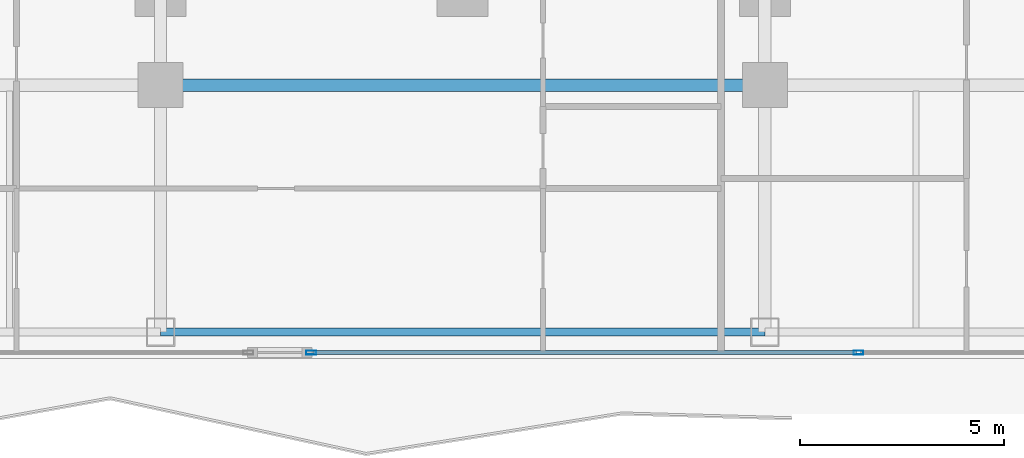
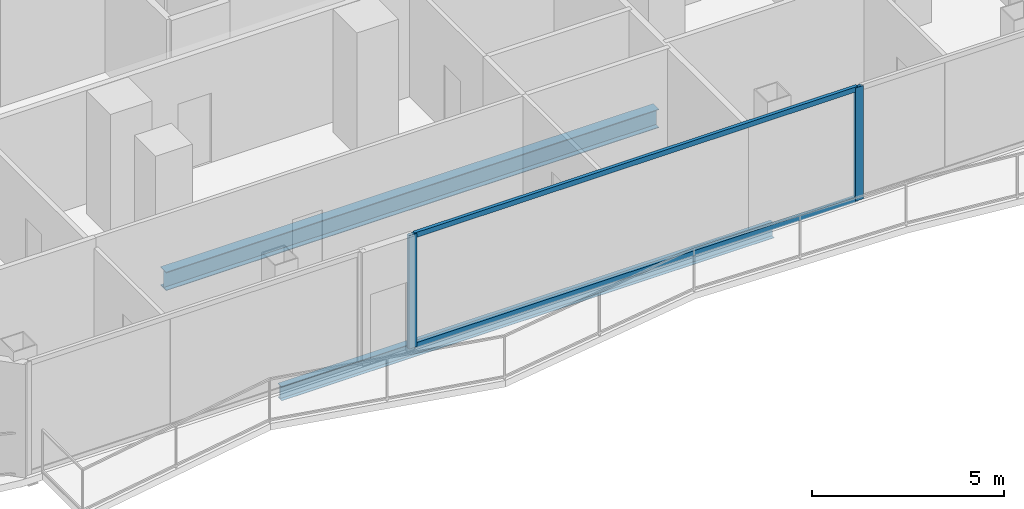
# One storey, part 4 of 27: 4 members, 2 beams, 1 element without a shape of its own.
"""IFC4 building model written with IfcOpenShell, lengths in metres."""

import ifcopenshell
import ifcopenshell.guid

model = None  # the IFC model being written
_history = None  # IfcOwnerHistory: only IFC2X3 demands one
_inside = {}  # id of a spatial element -> (the spatial element, [elements in it])
_under = {}  # id of a project, library or spatial element -> (it, [spatial elements below it])
_declared = {}  # id of a project -> (the project, [libraries it declares])
_typed = {}  # id of a type object -> (the type object, [elements of that type])
_made_of = {}  # id of a material, layer set ... -> (it, [elements and type objects made of it])


def new_model(schema):
    """Start an empty IFC model of exactly this schema.

    Asked for "IFC4X3", IfcOpenShell would pick the latest addendum, in which some entities
    have other attributes; the version numbers below select the first issue.
    IFC2X3 requires an IfcOwnerHistory on every rooted entity: one is made here for all.
    """
    global model, _history
    if schema == "IFC4X3":
        model = ifcopenshell.file(schema_version=(4, 3, 0, 0))
    else:
        model = ifcopenshell.file(schema=schema)
    _inside.clear()
    _under.clear()
    _declared.clear()
    _typed.clear()
    _made_of.clear()
    _history = None
    if model.schema == "IFC2X3":
        org = make("IfcOrganization", Name="unknown")
        user = make(
            "IfcPersonAndOrganization",
            ThePerson=make("IfcPerson", FamilyName="unknown"),
            TheOrganization=org,
        )
        app = make(
            "IfcApplication",
            ApplicationDeveloper=org,
            Version="unknown",
            ApplicationFullName="unknown",
            ApplicationIdentifier="unknown",
        )
        _history = make(
            "IfcOwnerHistory",
            OwningUser=user,
            OwningApplication=app,
            ChangeAction="ADDED",
            CreationDate=0,
        )
    return model


def make(cls, **values):
    """One entity of the class cls with the attributes given. An attribute that is None is left unset."""
    return model.create_entity(
        cls, **{name: value for name, value in values.items() if value is not None}
    )


def rooted(cls, **values):
    """An entity with a GlobalId (a new one), such as an element, a storey or a relation."""
    return make(cls, GlobalId=ifcopenshell.guid.new(), OwnerHistory=_history, **values)


def si_unit(unit_type, name, prefix=None):
    """IfcSIUnit, for example si_unit("LENGTHUNIT", "METRE", prefix="MILLI")."""
    return make("IfcSIUnit", UnitType=unit_type, Prefix=prefix, Name=name)


def assignment(units):
    """IfcUnitAssignment: the units of a project."""
    return None if units is None else make("IfcUnitAssignment", Units=units)


def point(xyz):
    """IfcCartesianPoint."""
    return None if xyz is None else make("IfcCartesianPoint", Coordinates=xyz)


def direction(xyz):
    """IfcDirection."""
    return None if xyz is None else make("IfcDirection", DirectionRatios=xyz)


def frame(location, z_axis=None, x_axis=None):
    """IfcAxis2Placement3D, a coordinate frame: its origin and axes. An axis left out is left unset."""
    return make(
        "IfcAxis2Placement3D",
        Location=point(location),
        Axis=direction(z_axis),
        RefDirection=direction(x_axis),
    )


def frame_2d(location, x_axis=None):
    """IfcAxis2Placement2D, a coordinate frame in the plane: its origin and x axis."""
    return make(
        "IfcAxis2Placement2D", Location=point(location), RefDirection=direction(x_axis)
    )


def origin():
    """The frame at (0, 0, 0) with its axes left unset."""
    return frame((0.0, 0.0, 0.0))


def origin_2d():
    """The frame at (0, 0) in the plane with its x axis left unset."""
    return frame_2d((0.0, 0.0))


def place(relative_to, where):
    """IfcLocalPlacement: puts the frame where relative to a parent placement (None: the world)."""
    return make(
        "IfcLocalPlacement", PlacementRelTo=relative_to, RelativePlacement=where
    )


def context(
    kind, dimensions, precision=None, world=None, true_north=None, identifier=None
):
    """IfcGeometricRepresentationContext, for example the 3D "Model" context."""
    return make(
        "IfcGeometricRepresentationContext",
        ContextIdentifier=identifier,
        ContextType=kind,
        CoordinateSpaceDimension=dimensions,
        Precision=precision,
        WorldCoordinateSystem=world,
        TrueNorth=true_north,
    )


def subcontext(parent, identifier, kind, view, scale=None):
    """IfcGeometricRepresentationSubContext, for example "Body" below "Model"."""
    return make(
        "IfcGeometricRepresentationSubContext",
        ContextIdentifier=identifier,
        ContextType=kind,
        ParentContext=parent,
        TargetScale=scale,
        TargetView=view,
    )


def project(units=None, contexts=None):
    """IfcProject with its units and contexts."""
    return rooted(
        "IfcProject",
        Name="project",
        RepresentationContexts=contexts,
        UnitsInContext=assignment(units),
    )


def spatial(cls, under=None, at=None, **own):
    """A site, building, storey or space (cls), placed at a placement, below another one or the project."""
    s = rooted(cls, ObjectPlacement=at, **own)
    if under is not None:
        _under.setdefault(under.id(), (under, []))[1].append(s)
    return s


def profile(cls, at=None, kind="AREA", **sizes):
    """A parametric profile (cls). Its sizes go by their IFC names, for example OverallWidth=200.0."""
    return make(cls, ProfileType=kind, Position=at, **sizes)


def hollow_rectangle(**sizes):
    """IfcRectangleHollowProfileDef."""
    return profile("IfcRectangleHollowProfileDef", **sizes)


def i_section(**sizes):
    """IfcIShapeProfileDef."""
    return profile("IfcIShapeProfileDef", **sizes)


def extrude(swept, where, along, depth):
    """IfcExtrudedAreaSolid: the profile swept, set in the frame where, extruded along a direction by depth."""
    return make(
        "IfcExtrudedAreaSolid",
        SweptArea=swept,
        Position=where,
        ExtrudedDirection=direction(along),
        Depth=depth,
    )


def shape(context_of_items, identifier, shape_type, items):
    """IfcShapeRepresentation: the items that make up one representation, for example the "Body"."""
    return make(
        "IfcShapeRepresentation",
        ContextOfItems=context_of_items,
        RepresentationIdentifier=identifier,
        RepresentationType=shape_type,
        Items=items,
    )


def material(Name=None, Category=None):
    """IfcMaterial."""
    return make("IfcMaterial", Name=Name, Category=Category)


def layer(
    of_material, thickness, ventilated=None, Name=None, Category=None, Priority=None
):
    """IfcMaterialLayer: one layer of a wall or slab, of a material (None: an air gap)."""
    return make(
        "IfcMaterialLayer",
        Material=of_material,
        LayerThickness=thickness,
        IsVentilated=ventilated,
        Name=Name,
        Category=Category,
        Priority=Priority,
    )


def layer_set(layers, Name=None):
    """IfcMaterialLayerSet."""
    return make("IfcMaterialLayerSet", MaterialLayers=layers, LayerSetName=Name)


def material_profile(
    of_material, cross_section, Name=None, Category=None, Priority=None
):
    """IfcMaterialProfile: a cross section and its material."""
    return make(
        "IfcMaterialProfile",
        Name=Name,
        Material=of_material,
        Profile=cross_section,
        Priority=Priority,
        Category=Category,
    )


def profile_set(profiles, Name=None, composite=None):
    """IfcMaterialProfileSet."""
    return make(
        "IfcMaterialProfileSet",
        Name=Name,
        MaterialProfiles=profiles,
        CompositeProfile=composite,
    )


def made_of(thing, what):
    """Note that an element or type object is made of a material, layer set ...; save() writes the relation."""
    if what is not None:
        _made_of.setdefault(what.id(), (what, []))[1].append(thing)
    return thing


def type_object(cls, material=None, **own):
    """A type object (cls), such as IfcWallType, which elements share."""
    return made_of(rooted(cls, **own), material)


def element(
    cls,
    number,
    at=None,
    inside=None,
    cuts=None,
    type_object=None,
    material=None,
    context=None,
    identifier="Body",
    shape_type=None,
    held_by="IfcProductDefinitionShape",
    body=None,
    shapes=None,
    **own,
):
    """One element of the class cls, such as IfcWall. Its Tag is "e" and its number.

    at: its placement. inside: the storey or other place that contains it. cuts: it is an
    opening in that element (IfcRelVoidsElement). A single representation is given by context,
    identifier, shape_type and body (its items); several are given by shapes. held_by: the class
    of the entity that holds the representations. save() writes the other relations.
    """
    e = rooted(cls, Tag="e%d" % number, ObjectPlacement=at, **own)
    if body is not None:
        shapes = [shape(context, identifier, shape_type, body)]
    if shapes is not None:
        e.Representation = make(held_by, Representations=shapes)
    if inside is not None:
        _inside.setdefault(inside.id(), (inside, []))[1].append(e)
    if cuts is not None:
        rooted(
            "IfcRelVoidsElement", RelatingBuildingElement=cuts, RelatedOpeningElement=e
        )
    if type_object is not None:
        _typed.setdefault(type_object.id(), (type_object, []))[1].append(e)
    return made_of(e, material)


def aggregate(whole, parts):
    """IfcRelAggregates: a whole, such as a stair, and the parts it consists of."""
    return rooted("IfcRelAggregates", RelatingObject=whole, RelatedObjects=parts)


def save(model, path):
    """Write the relations noted so far, then the file.

    IfcRelAggregates (storeys below a building ...), IfcRelContainedInSpatialStructure (elements
    in a storey), IfcRelDefinesByType, IfcRelAssociatesMaterial and IfcRelDeclares: one each for
    every whole, place, type object, material and project.
    """
    for whole, parts in _under.values():
        aggregate(whole, parts)
    for where, things in _inside.values():
        rooted(
            "IfcRelContainedInSpatialStructure",
            RelatedElements=things,
            RelatingStructure=where,
        )
    for kind, things in _typed.values():
        rooted("IfcRelDefinesByType", RelatedObjects=things, RelatingType=kind)
    for what, things in _made_of.values():
        rooted("IfcRelAssociatesMaterial", RelatedObjects=things, RelatingMaterial=what)
    for by, libraries in _declared.values():
        rooted("IfcRelDeclares", RelatingContext=by, RelatedDefinitions=libraries)
    model.write(path)


model = new_model("IFC4")

# Units and contexts
model_context = context("Model", 3, precision=1e-05, world=origin(), true_north=direction((0.0, 1.0)))
body_context = subcontext(model_context, "Body", "Model", "MODEL_VIEW")
ifc_project = project(units=[si_unit("LENGTHUNIT", "METRE"), si_unit("AREAUNIT", "SQUARE_METRE"), si_unit("VOLUMEUNIT", "CUBIC_METRE"), si_unit("PLANEANGLEUNIT", "RADIAN"), si_unit("MASSUNIT", "GRAM", prefix="KILO")], contexts=[model_context])

# Site, building, storey
site_placement = place(None, origin())
site = spatial("IfcSite", under=ifc_project, at=site_placement, CompositionType="ELEMENT")
building_placement = place(site_placement, origin())
building = spatial("IfcBuilding", under=site, at=building_placement, Name="Khorvyn Point Tower", CompositionType="ELEMENT")
storey_placement = place(building_placement, frame((0.0, 0.0, 152.39990234375)))
storey = spatial("IfcBuildingStorey", under=building, at=storey_placement, Name="L38", CompositionType="ELEMENT", Elevation=152.39990234375)

# Curtain wall, members
ifc_material_1 = material(Name="Anodised aluminium 6063-T6 and laminated Low-E glass", Category="aluminium")
ifc_layer = layer(ifc_material_1, 0.18994140625)
ifc_layer_set = layer_set([ifc_layer], Name="Stick-Built Acoustic Curtain Wall CW-SYS-03")
curtain_wall_type = type_object("IfcCurtainWallType", Name="Stick-Built Acoustic Curtain Wall CW-SYS-03", PredefinedType="NOTDEFINED", material=ifc_layer_set)
curtain_wall_placement = place(storey_placement, origin())
curtain_wall = element("IfcCurtainWall", 1, at=curtain_wall_placement, inside=storey, type_object=curtain_wall_type, Name="Curtain Wall", PredefinedType="NOTDEFINED")
ifc_material_2 = material(Name="Anodised aluminium 6063-T6", Category="aluminium")
ifc_material_profile_1 = material_profile(ifc_material_2, hollow_rectangle(XDim=0.10009765625, YDim=0.239990234375, WallThickness=0.0048828125, at=origin_2d()))
ifc_profile_set_1 = profile_set([ifc_material_profile_1], Name="Anodised aluminium 6063-T6 ALU-MUL-100x240")
member_type_1 = type_object("IfcMemberType", Name="Anodised Aluminium 6063-T6 Mullion ALU-MUL-100x240", PredefinedType="MULLION", material=ifc_profile_set_1)
member_1_placement = place(storey_placement, frame((9.694580078125, -23.64990234375, 0.0), z_axis=(0.0, 0.0, 1.0), x_axis=(0.0, -1.0, 0.0)))
member_1 = element("IfcMember", 2, at=member_1_placement, type_object=member_type_1, Name="Transom", PredefinedType="MULLION", context=body_context, shape_type="SweptSolid", body=[
    extrude(hollow_rectangle(XDim=0.10009765625, YDim=0.239990234375, WallThickness=0.0048828125, at=origin_2d()), origin(), (0.0, 0.0, 1.0), 3.60009765625),
])
member_2_placement = place(storey_placement, frame((-3.7109375, -23.64990234375, 0.0), z_axis=(0.0, 0.0, 1.0), x_axis=(0.0, -1.0, 0.0)))
member_2 = element("IfcMember", 3, at=member_2_placement, type_object=member_type_1, Name="Transom", PredefinedType="MULLION", context=body_context, shape_type="SweptSolid", body=[
    extrude(hollow_rectangle(XDim=0.10009765625, YDim=0.239990234375, WallThickness=0.0048828125, at=origin_2d()), origin(), (0.0, 0.0, 1.0), 3.60009765625),
])
ifc_material_profile_2 = material_profile(ifc_material_2, hollow_rectangle(XDim=0.10009765625, YDim=0.159912109375, WallThickness=0.00439453125, at=origin_2d()))
ifc_profile_set_2 = profile_set([ifc_material_profile_2], Name="Anodised aluminium 6063-T6 ALU-TRN-100x160")
member_type_2 = type_object("IfcMemberType", Name="Anodised Aluminium 6063-T6 Transom ALU-TRN-100x160", PredefinedType="USERDEFINED", material=ifc_profile_set_2)
member_3_placement = place(storey_placement, frame((9.64453125, -23.64990234375, 0.050048828125), z_axis=(-1.0, 0.0, 0.0), x_axis=(0.0, -1.0, 0.0)))
member_3 = element("IfcMember", 4, at=member_3_placement, type_object=member_type_2, Name="Transom", ObjectType="TRANSOM", PredefinedType="USERDEFINED", context=body_context, shape_type="SweptSolid", body=[
    extrude(hollow_rectangle(XDim=0.10009765625, YDim=0.159912109375, WallThickness=0.00439453125, at=origin_2d()), origin(), (0.0, 0.0, 1.0), 13.305419921875),
])
member_4_placement = place(storey_placement, frame((9.64453125, -23.64990234375, 3.550048828125), z_axis=(-1.0, 0.0, 0.0), x_axis=(0.0, -1.0, 0.0)))
member_4 = element("IfcMember", 5, at=member_4_placement, type_object=member_type_2, Name="Transom", ObjectType="TRANSOM", PredefinedType="USERDEFINED", context=body_context, shape_type="SweptSolid", body=[
    extrude(hollow_rectangle(XDim=0.10009765625, YDim=0.159912109375, WallThickness=0.00439453125, at=origin_2d()), origin(), (0.0, 0.0, 1.0), 13.305419921875),
])
aggregate(curtain_wall, [member_1, member_2, member_3, member_4])

# Beams
ifc_material_3 = material(Name="Steel S355", Category="steel")
ifc_material_profile_3 = material_profile(ifc_material_3, i_section(OverallWidth=0.300048828125, OverallDepth=0.587890625, WebThickness=0.011962890625, FlangeThickness=0.02001953125, at=origin_2d()))
ifc_profile_set_3 = profile_set([ifc_material_profile_3], Name="Steel S355 H588x300x12x20")
beam_type_1 = type_object("IfcBeamType", Name="Steel S355 Beam H588x300x12x20", PredefinedType="BEAM", material=ifc_profile_set_3)
beam_1_placement = place(storey_placement, frame((-7.39990234375, -17.10009765625, -0.513916015625), z_axis=(1.0, 0.0, 0.0), x_axis=(0.0, 1.0, 0.0)))
element("IfcBeam", 6, at=beam_1_placement, inside=storey, type_object=beam_type_1, Name="Beam", PredefinedType="BEAM", context=body_context, shape_type="SweptSolid", body=[
    extrude(i_section(OverallWidth=0.300048828125, OverallDepth=0.587890625, WebThickness=0.011962890625, FlangeThickness=0.02001953125, at=origin_2d()), origin(), (0.0, 0.0, 1.0), 14.7998046875),
])
ifc_material_profile_4 = material_profile(ifc_material_3, i_section(OverallWidth=0.199951171875, OverallDepth=0.449951171875, WebThickness=0.009033203125, FlangeThickness=0.013916015625, at=origin_2d()))
ifc_profile_set_4 = profile_set([ifc_material_profile_4], Name="Steel S355 H450x200x9x14")
beam_type_2 = type_object("IfcBeamType", Name="Steel S355 Spandrel H450x200x9x14", PredefinedType="SPANDREL", material=ifc_profile_set_4)
beam_2_placement = place(storey_placement, frame((-7.39990234375, -23.14990234375, -0.44482421875), z_axis=(1.0, 0.0, 0.0), x_axis=(0.0, 1.0, 0.0)))
element("IfcBeam", 7, at=beam_2_placement, inside=storey, type_object=beam_type_2, Name="Beam", PredefinedType="SPANDREL", context=body_context, shape_type="SweptSolid", body=[
    extrude(i_section(OverallWidth=0.199951171875, OverallDepth=0.449951171875, WebThickness=0.009033203125, FlangeThickness=0.013916015625, at=origin_2d()), origin(), (0.0, 0.0, 1.0), 14.7998046875),
])

save(model, "model.ifc")
